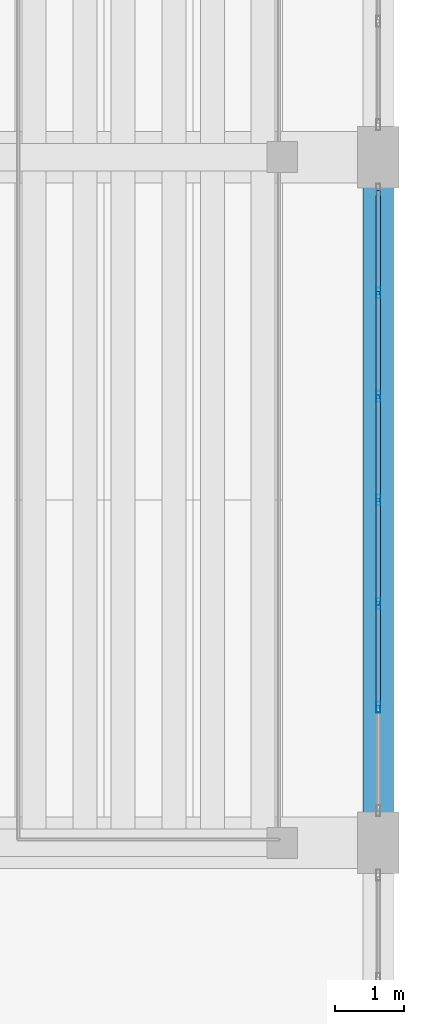
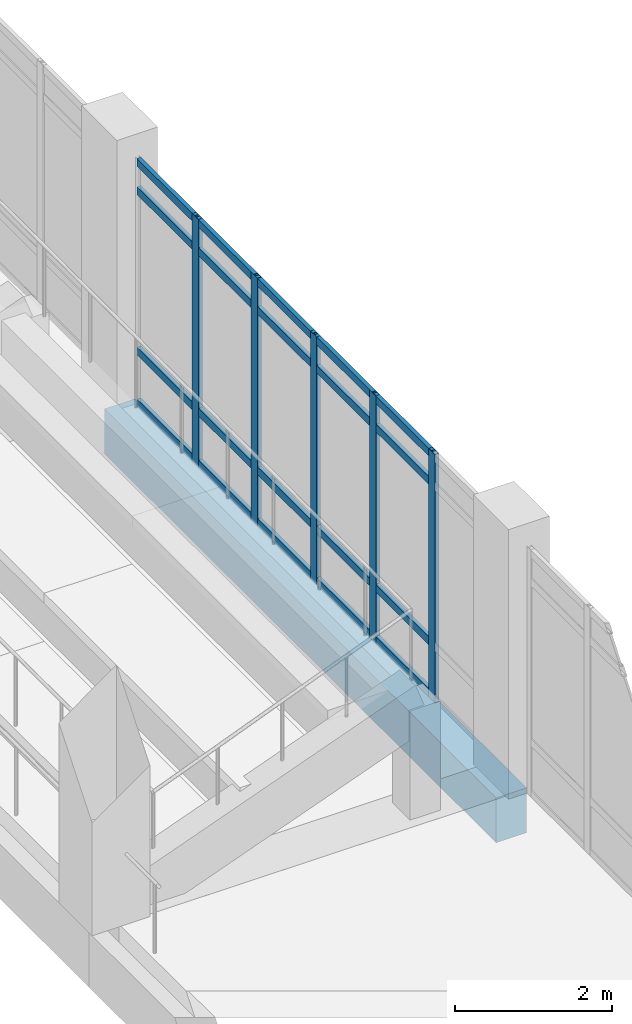
# One storey, part 107 of 161: 25 members, 1 beam, 1 element without a shape of its own.
"""IFC4 building model written with IfcOpenShell, lengths in metres."""

from ifc_helpers import new_model, si_unit, direction, frame, origin, origin_2d, place, context, subcontext, project, spatial, rectangle, hollow_rectangle, extrude, material, layer, layer_set, material_profile, profile_set, type_object, element, aggregate, save


model = new_model("IFC4")

# Units and contexts
model_context = context("Model", 3, precision=1e-05, world=origin(), true_north=direction((0.0, 1.0)))
body_context = subcontext(model_context, "Body", "Model", "MODEL_VIEW")
ifc_project = project(units=[si_unit("LENGTHUNIT", "METRE"), si_unit("AREAUNIT", "SQUARE_METRE"), si_unit("VOLUMEUNIT", "CUBIC_METRE"), si_unit("PLANEANGLEUNIT", "RADIAN"), si_unit("MASSUNIT", "GRAM", prefix="KILO")], contexts=[model_context])

# Site, building, storey
site_placement = place(None, origin())
site = spatial("IfcSite", under=ifc_project, at=site_placement, CompositionType="ELEMENT")
building_placement = place(site_placement, origin())
building = spatial("IfcBuilding", under=site, at=building_placement, Name="Mersad Railyard Sports Hall", CompositionType="ELEMENT")
storey_placement = place(building_placement, frame((0.0, 0.0, 4.800048828125)))
storey = spatial("IfcBuildingStorey", under=building, at=storey_placement, Name="L01", CompositionType="ELEMENT", Elevation=4.800048828125)

# Curtain wall, members
ifc_material_1 = material(Name="Aluminium 6063-T6", Category="aluminium")
ifc_layer = layer(ifc_material_1, 0.159912109375)
ifc_layer_set = layer_set([ifc_layer], Name="Aluminium 6063-T6")
curtain_wall_type = type_object("IfcCurtainWallType", Name="ARC-CW-CW14", PredefinedType="USERDEFINED", material=ifc_layer_set)
curtain_wall_placement = place(storey_placement, origin())
curtain_wall = element("IfcCurtainWall", 1, at=curtain_wall_placement, inside=storey, type_object=curtain_wall_type, Name="Curtain wall CW14-0050", ObjectType="CURTAIN WALL", PredefinedType="USERDEFINED")
ifc_material_profile_1 = material_profile(ifc_material_1, hollow_rectangle(XDim=0.06005859375, YDim=0.159912109375, WallThickness=0.00390625, at=origin_2d()), Name="AL MULLION 60x160x4")
ifc_profile_set_1 = profile_set([ifc_material_profile_1], Name="Aluminium 6063-T6")
member_type_1 = type_object("IfcMemberType", Name="ARC-CW-MUL01", PredefinedType="MULLION", material=ifc_profile_set_1)
member_1_placement = place(storey_placement, frame((179.0, 41.52001953125, -0.02001953125), z_axis=(0.0, 0.0, 1.0), x_axis=(1.0, 0.0, 0.0)))
member_1 = element("IfcMember", 2, at=member_1_placement, type_object=member_type_1, Name="CW14 Mullion 2", PredefinedType="MULLION", context=body_context, shape_type="SweptSolid", body=[
    extrude(hollow_rectangle(XDim=0.06005859375, YDim=0.159912109375, WallThickness=0.00390625, at=origin_2d()), origin(), (0.0, 0.0, 1.0), 3.869873046875),
])
member_2_placement = place(storey_placement, frame((179.0, 40.010009765625, -0.02001953125), z_axis=(0.0, 0.0, 1.0), x_axis=(1.0, 0.0, 0.0)))
member_2 = element("IfcMember", 3, at=member_2_placement, type_object=member_type_1, Name="CW14 Mullion 3", PredefinedType="MULLION", context=body_context, shape_type="SweptSolid", body=[
    extrude(hollow_rectangle(XDim=0.06005859375, YDim=0.159912109375, WallThickness=0.00390625, at=origin_2d()), origin(), (0.0, 0.0, 1.0), 3.869873046875),
])
member_3_placement = place(storey_placement, frame((179.0, 38.5, -0.02001953125), z_axis=(0.0, 0.0, 1.0), x_axis=(1.0, 0.0, 0.0)))
member_3 = element("IfcMember", 4, at=member_3_placement, type_object=member_type_1, Name="CW14 Mullion 4", PredefinedType="MULLION", context=body_context, shape_type="SweptSolid", body=[
    extrude(hollow_rectangle(XDim=0.06005859375, YDim=0.159912109375, WallThickness=0.00390625, at=origin_2d()), origin(), (0.0, 0.0, 1.0), 3.869873046875),
])
member_4_placement = place(storey_placement, frame((179.0, 36.989990234375, -0.02001953125), z_axis=(0.0, 0.0, 1.0), x_axis=(1.0, 0.0, 0.0)))
member_4 = element("IfcMember", 5, at=member_4_placement, type_object=member_type_1, Name="CW14 Mullion 5", PredefinedType="MULLION", context=body_context, shape_type="SweptSolid", body=[
    extrude(hollow_rectangle(XDim=0.06005859375, YDim=0.159912109375, WallThickness=0.00390625, at=origin_2d()), origin(), (0.0, 0.0, 1.0), 3.869873046875),
])
member_5_placement = place(storey_placement, frame((179.0, 35.47998046875, -0.02001953125), z_axis=(0.0, 0.0, 1.0), x_axis=(1.0, 0.0, 0.0)))
member_5 = element("IfcMember", 6, at=member_5_placement, type_object=member_type_1, Name="CW14 Mullion 6", PredefinedType="MULLION", context=body_context, shape_type="SweptSolid", body=[
    extrude(hollow_rectangle(XDim=0.06005859375, YDim=0.159912109375, WallThickness=0.00390625, at=origin_2d()), origin(), (0.0, 0.0, 1.0), 3.869873046875),
])
ifc_material_profile_2 = material_profile(ifc_material_1, hollow_rectangle(XDim=0.06005859375, YDim=0.1201171875, WallThickness=0.00390625, at=origin_2d()), Name="AL TRANSOM 60x120x4")
ifc_profile_set_2 = profile_set([ifc_material_profile_2], Name="Aluminium 6063-T6")
member_type_2 = type_object("IfcMemberType", Name="ARC-CW-TRN01", PredefinedType="USERDEFINED", material=ifc_profile_set_2)
member_6_placement = place(storey_placement, frame((179.0, 43.010009765625, 0.0400390625), z_axis=(0.0, -1.0, 0.0), x_axis=(1.0, 0.0, 0.0)))
member_6 = element("IfcMember", 7, at=member_6_placement, type_object=member_type_2, Name="CW14 Transom 1-1", ObjectType="TRANSOM", PredefinedType="USERDEFINED", context=body_context, shape_type="SweptSolid", body=[
    extrude(hollow_rectangle(XDim=0.06005859375, YDim=0.1201171875, WallThickness=0.00390625, at=origin_2d()), origin(), (0.0, 0.0, 1.0), 1.469970703125),
])
member_7_placement = place(storey_placement, frame((179.0, 41.5, 0.0400390625), z_axis=(0.0, -1.0, 0.0), x_axis=(1.0, 0.0, 0.0)))
member_7 = element("IfcMember", 8, at=member_7_placement, type_object=member_type_2, Name="CW14 Transom 1-2", ObjectType="TRANSOM", PredefinedType="USERDEFINED", context=body_context, shape_type="SweptSolid", body=[
    extrude(hollow_rectangle(XDim=0.06005859375, YDim=0.1201171875, WallThickness=0.00390625, at=origin_2d()), origin(), (0.0, 0.0, 1.0), 1.469970703125),
])
member_8_placement = place(storey_placement, frame((179.0, 39.989990234375, 0.0400390625), z_axis=(0.0, -1.0, 0.0), x_axis=(1.0, 0.0, 0.0)))
member_8 = element("IfcMember", 9, at=member_8_placement, type_object=member_type_2, Name="CW14 Transom 1-3", ObjectType="TRANSOM", PredefinedType="USERDEFINED", context=body_context, shape_type="SweptSolid", body=[
    extrude(hollow_rectangle(XDim=0.06005859375, YDim=0.1201171875, WallThickness=0.00390625, at=origin_2d()), origin(), (0.0, 0.0, 1.0), 1.469970703125),
])
member_9_placement = place(storey_placement, frame((179.0, 38.47998046875, 0.0400390625), z_axis=(0.0, -1.0, 0.0), x_axis=(1.0, 0.0, 0.0)))
member_9 = element("IfcMember", 10, at=member_9_placement, type_object=member_type_2, Name="CW14 Transom 1-4", ObjectType="TRANSOM", PredefinedType="USERDEFINED", context=body_context, shape_type="SweptSolid", body=[
    extrude(hollow_rectangle(XDim=0.06005859375, YDim=0.1201171875, WallThickness=0.00390625, at=origin_2d()), origin(), (0.0, 0.0, 1.0), 1.469970703125),
])
member_10_placement = place(storey_placement, frame((179.0, 36.969970703125, 0.0400390625), z_axis=(0.0, -1.0, 0.0), x_axis=(1.0, 0.0, 0.0)))
member_10 = element("IfcMember", 11, at=member_10_placement, type_object=member_type_2, Name="CW14 Transom 1-5", ObjectType="TRANSOM", PredefinedType="USERDEFINED", context=body_context, shape_type="SweptSolid", body=[
    extrude(hollow_rectangle(XDim=0.06005859375, YDim=0.1201171875, WallThickness=0.00390625, at=origin_2d()), origin(), (0.0, 0.0, 1.0), 1.469970703125),
])
member_11_placement = place(storey_placement, frame((179.0, 43.010009765625, 0.849853515625), z_axis=(0.0, -1.0, 0.0), x_axis=(1.0, 0.0, 0.0)))
member_11 = element("IfcMember", 12, at=member_11_placement, type_object=member_type_2, Name="CW14 Transom 2-1", ObjectType="TRANSOM", PredefinedType="USERDEFINED", context=body_context, shape_type="SweptSolid", body=[
    extrude(hollow_rectangle(XDim=0.06005859375, YDim=0.1201171875, WallThickness=0.00390625, at=origin_2d()), origin(), (0.0, 0.0, 1.0), 1.469970703125),
])
member_12_placement = place(storey_placement, frame((179.0, 41.5, 0.849853515625), z_axis=(0.0, -1.0, 0.0), x_axis=(1.0, 0.0, 0.0)))
member_12 = element("IfcMember", 13, at=member_12_placement, type_object=member_type_2, Name="CW14 Transom 2-2", ObjectType="TRANSOM", PredefinedType="USERDEFINED", context=body_context, shape_type="SweptSolid", body=[
    extrude(hollow_rectangle(XDim=0.06005859375, YDim=0.1201171875, WallThickness=0.00390625, at=origin_2d()), origin(), (0.0, 0.0, 1.0), 1.469970703125),
])
member_13_placement = place(storey_placement, frame((179.0, 39.989990234375, 0.849853515625), z_axis=(0.0, -1.0, 0.0), x_axis=(1.0, 0.0, 0.0)))
member_13 = element("IfcMember", 14, at=member_13_placement, type_object=member_type_2, Name="CW14 Transom 2-3", ObjectType="TRANSOM", PredefinedType="USERDEFINED", context=body_context, shape_type="SweptSolid", body=[
    extrude(hollow_rectangle(XDim=0.06005859375, YDim=0.1201171875, WallThickness=0.00390625, at=origin_2d()), origin(), (0.0, 0.0, 1.0), 1.469970703125),
])
member_14_placement = place(storey_placement, frame((179.0, 38.47998046875, 0.849853515625), z_axis=(0.0, -1.0, 0.0), x_axis=(1.0, 0.0, 0.0)))
member_14 = element("IfcMember", 15, at=member_14_placement, type_object=member_type_2, Name="CW14 Transom 2-4", ObjectType="TRANSOM", PredefinedType="USERDEFINED", context=body_context, shape_type="SweptSolid", body=[
    extrude(hollow_rectangle(XDim=0.06005859375, YDim=0.1201171875, WallThickness=0.00390625, at=origin_2d()), origin(), (0.0, 0.0, 1.0), 1.469970703125),
])
member_15_placement = place(storey_placement, frame((179.0, 36.969970703125, 0.849853515625), z_axis=(0.0, -1.0, 0.0), x_axis=(1.0, 0.0, 0.0)))
member_15 = element("IfcMember", 16, at=member_15_placement, type_object=member_type_2, Name="CW14 Transom 2-5", ObjectType="TRANSOM", PredefinedType="USERDEFINED", context=body_context, shape_type="SweptSolid", body=[
    extrude(hollow_rectangle(XDim=0.06005859375, YDim=0.1201171875, WallThickness=0.00390625, at=origin_2d()), origin(), (0.0, 0.0, 1.0), 1.469970703125),
])
member_16_placement = place(storey_placement, frame((179.0, 43.010009765625, 3.349853515625), z_axis=(0.0, -1.0, 0.0), x_axis=(1.0, 0.0, 0.0)))
member_16 = element("IfcMember", 17, at=member_16_placement, type_object=member_type_2, Name="CW14 Transom 3-1", ObjectType="TRANSOM", PredefinedType="USERDEFINED", context=body_context, shape_type="SweptSolid", body=[
    extrude(hollow_rectangle(XDim=0.06005859375, YDim=0.1201171875, WallThickness=0.00390625, at=origin_2d()), origin(), (0.0, 0.0, 1.0), 1.469970703125),
])
member_17_placement = place(storey_placement, frame((179.0, 41.5, 3.349853515625), z_axis=(0.0, -1.0, 0.0), x_axis=(1.0, 0.0, 0.0)))
member_17 = element("IfcMember", 18, at=member_17_placement, type_object=member_type_2, Name="CW14 Transom 3-2", ObjectType="TRANSOM", PredefinedType="USERDEFINED", context=body_context, shape_type="SweptSolid", body=[
    extrude(hollow_rectangle(XDim=0.06005859375, YDim=0.1201171875, WallThickness=0.00390625, at=origin_2d()), origin(), (0.0, 0.0, 1.0), 1.469970703125),
])
member_18_placement = place(storey_placement, frame((179.0, 39.989990234375, 3.349853515625), z_axis=(0.0, -1.0, 0.0), x_axis=(1.0, 0.0, 0.0)))
member_18 = element("IfcMember", 19, at=member_18_placement, type_object=member_type_2, Name="CW14 Transom 3-3", ObjectType="TRANSOM", PredefinedType="USERDEFINED", context=body_context, shape_type="SweptSolid", body=[
    extrude(hollow_rectangle(XDim=0.06005859375, YDim=0.1201171875, WallThickness=0.00390625, at=origin_2d()), origin(), (0.0, 0.0, 1.0), 1.469970703125),
])
member_19_placement = place(storey_placement, frame((179.0, 38.47998046875, 3.349853515625), z_axis=(0.0, -1.0, 0.0), x_axis=(1.0, 0.0, 0.0)))
member_19 = element("IfcMember", 20, at=member_19_placement, type_object=member_type_2, Name="CW14 Transom 3-4", ObjectType="TRANSOM", PredefinedType="USERDEFINED", context=body_context, shape_type="SweptSolid", body=[
    extrude(hollow_rectangle(XDim=0.06005859375, YDim=0.1201171875, WallThickness=0.00390625, at=origin_2d()), origin(), (0.0, 0.0, 1.0), 1.469970703125),
])
member_20_placement = place(storey_placement, frame((179.0, 36.969970703125, 3.349853515625), z_axis=(0.0, -1.0, 0.0), x_axis=(1.0, 0.0, 0.0)))
member_20 = element("IfcMember", 21, at=member_20_placement, type_object=member_type_2, Name="CW14 Transom 3-5", ObjectType="TRANSOM", PredefinedType="USERDEFINED", context=body_context, shape_type="SweptSolid", body=[
    extrude(hollow_rectangle(XDim=0.06005859375, YDim=0.1201171875, WallThickness=0.00390625, at=origin_2d()), origin(), (0.0, 0.0, 1.0), 1.469970703125),
])
member_21_placement = place(storey_placement, frame((179.0, 43.010009765625, 3.7900390625), z_axis=(0.0, -1.0, 0.0), x_axis=(1.0, 0.0, 0.0)))
member_21 = element("IfcMember", 22, at=member_21_placement, type_object=member_type_2, Name="CW14 Transom 4-1", ObjectType="TRANSOM", PredefinedType="USERDEFINED", context=body_context, shape_type="SweptSolid", body=[
    extrude(hollow_rectangle(XDim=0.06005859375, YDim=0.1201171875, WallThickness=0.00390625, at=origin_2d()), origin(), (0.0, 0.0, 1.0), 1.469970703125),
])
member_22_placement = place(storey_placement, frame((179.0, 41.5, 3.7900390625), z_axis=(0.0, -1.0, 0.0), x_axis=(1.0, 0.0, 0.0)))
member_22 = element("IfcMember", 23, at=member_22_placement, type_object=member_type_2, Name="CW14 Transom 4-2", ObjectType="TRANSOM", PredefinedType="USERDEFINED", context=body_context, shape_type="SweptSolid", body=[
    extrude(hollow_rectangle(XDim=0.06005859375, YDim=0.1201171875, WallThickness=0.00390625, at=origin_2d()), origin(), (0.0, 0.0, 1.0), 1.469970703125),
])
member_23_placement = place(storey_placement, frame((179.0, 39.989990234375, 3.7900390625), z_axis=(0.0, -1.0, 0.0), x_axis=(1.0, 0.0, 0.0)))
member_23 = element("IfcMember", 24, at=member_23_placement, type_object=member_type_2, Name="CW14 Transom 4-3", ObjectType="TRANSOM", PredefinedType="USERDEFINED", context=body_context, shape_type="SweptSolid", body=[
    extrude(hollow_rectangle(XDim=0.06005859375, YDim=0.1201171875, WallThickness=0.00390625, at=origin_2d()), origin(), (0.0, 0.0, 1.0), 1.469970703125),
])
member_24_placement = place(storey_placement, frame((179.0, 38.47998046875, 3.7900390625), z_axis=(0.0, -1.0, 0.0), x_axis=(1.0, 0.0, 0.0)))
member_24 = element("IfcMember", 25, at=member_24_placement, type_object=member_type_2, Name="CW14 Transom 4-4", ObjectType="TRANSOM", PredefinedType="USERDEFINED", context=body_context, shape_type="SweptSolid", body=[
    extrude(hollow_rectangle(XDim=0.06005859375, YDim=0.1201171875, WallThickness=0.00390625, at=origin_2d()), origin(), (0.0, 0.0, 1.0), 1.469970703125),
])
member_25_placement = place(storey_placement, frame((179.0, 36.969970703125, 3.7900390625), z_axis=(0.0, -1.0, 0.0), x_axis=(1.0, 0.0, 0.0)))
member_25 = element("IfcMember", 26, at=member_25_placement, type_object=member_type_2, Name="CW14 Transom 4-5", ObjectType="TRANSOM", PredefinedType="USERDEFINED", context=body_context, shape_type="SweptSolid", body=[
    extrude(hollow_rectangle(XDim=0.06005859375, YDim=0.1201171875, WallThickness=0.00390625, at=origin_2d()), origin(), (0.0, 0.0, 1.0), 1.469970703125),
])
aggregate(curtain_wall, [member_1, member_2, member_3, member_4, member_5, member_6, member_7, member_8, member_9, member_10, member_11, member_12, member_13, member_14, member_15, member_16, member_17, member_18, member_19, member_20, member_21, member_22, member_23, member_24, member_25])

# Beam
ifc_material_2 = material(Name="Architectural concrete C40/50", Category="concrete")
ifc_material_profile_3 = material_profile(ifc_material_2, rectangle(XDim=0.449951171875, YDim=0.699951171875, at=origin_2d()), Name="RC 450x700")
ifc_profile_set_3 = profile_set([ifc_material_profile_3], Name="Architectural concrete C40/50")
beam_type = type_object("IfcBeamType", Name="STR-BM-SP01", PredefinedType="SPANDREL", material=ifc_profile_set_3)
beam_placement = place(storey_placement, frame((179.0, 33.5, -0.630126953125), z_axis=(0.0, 1.0, 0.0), x_axis=(-1.0, 0.0, 0.0)))
element("IfcBeam", 27, at=beam_placement, inside=storey, type_object=beam_type, Name="Beam SP01-0657", PredefinedType="SPANDREL", context=body_context, shape_type="SweptSolid", body=[
    extrude(rectangle(XDim=0.449951171875, YDim=0.699951171875, at=origin_2d()), origin(), (0.0, 0.0, 1.0), 10.0),
])

save(model, "model.ifc")
